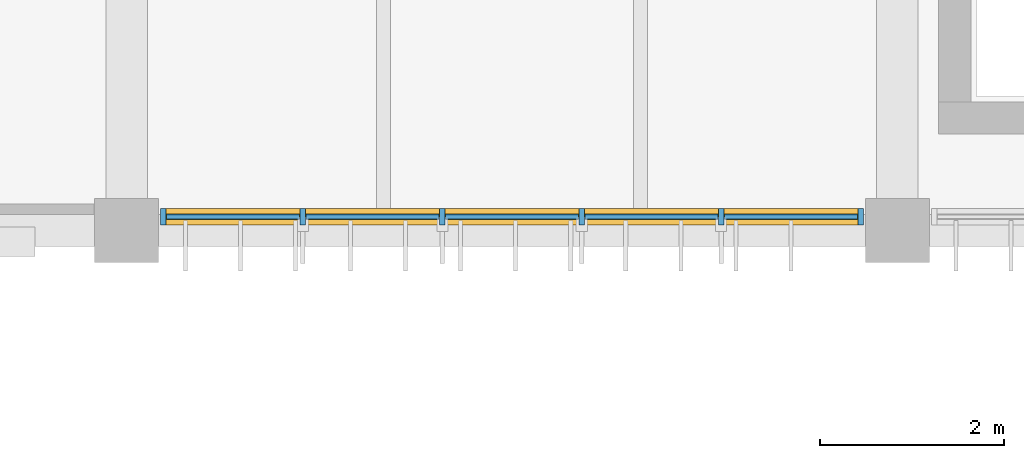
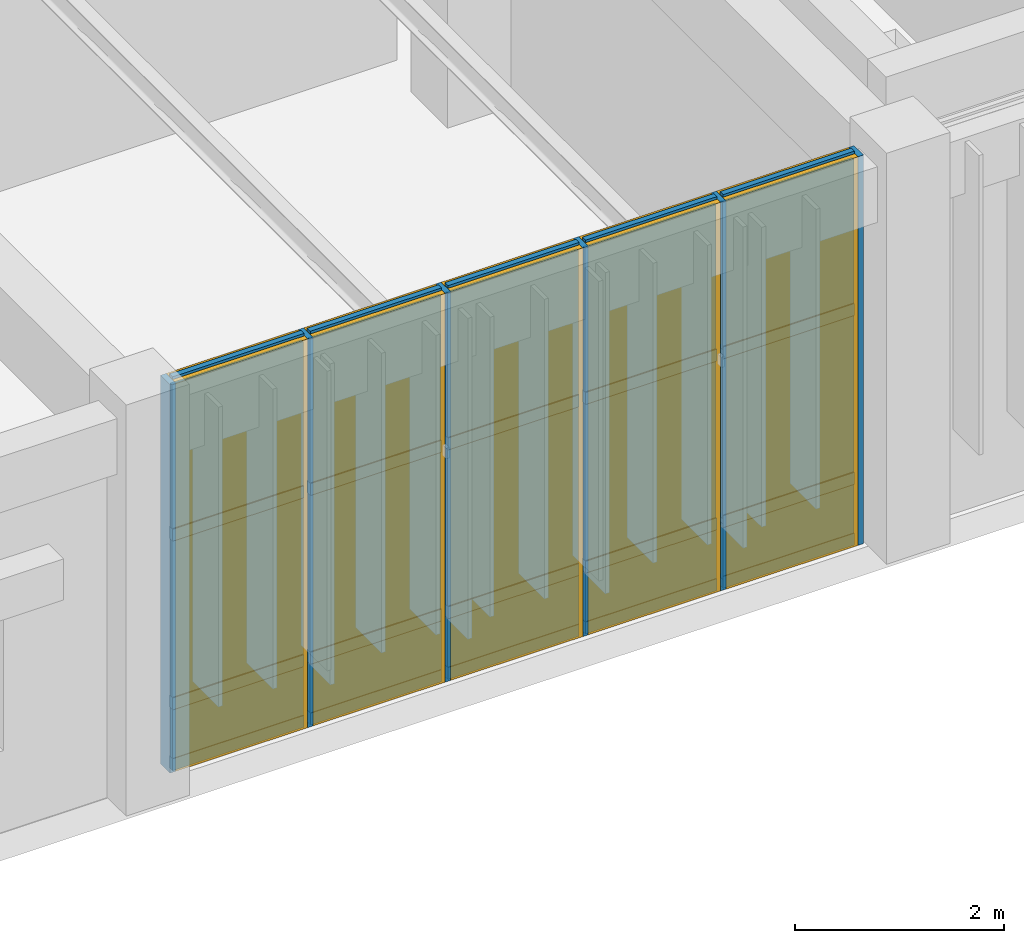
# One storey, part 95 of 122: 26 members, 15 plates, 1 curtain wall.
"""IFC4 building model written with IfcOpenShell, lengths in metres."""

from ifc_helpers import new_model, si_unit, direction, frame, frame_2d, origin, origin_2d, place, context, subcontext, project, spatial, rectangle, extrude, material, layer, layer_set, material_profile, profile_set, type_object, element, aggregate, save


model = new_model("IFC4")

# Units and contexts
model_context = context("Model", 3, precision=1e-05, world=origin(), true_north=direction((0.0, 1.0)))
body_context = subcontext(model_context, "Body", "Model", "MODEL_VIEW")
ifc_project = project(units=[si_unit("LENGTHUNIT", "METRE"), si_unit("AREAUNIT", "SQUARE_METRE"), si_unit("VOLUMEUNIT", "CUBIC_METRE"), si_unit("PLANEANGLEUNIT", "RADIAN"), si_unit("MASSUNIT", "GRAM", prefix="KILO")], contexts=[model_context])

# Member
ifc_material_1 = material(Name="Anodised Bronze Aluminium 6063-T6", Category="aluminium")
ifc_material_profile_1 = material_profile(ifc_material_1, rectangle(XDim=0.06005859375, YDim=0.179931640625, at=origin_2d()), Name="ALU MULLION 60x180")
ifc_profile_set_1 = profile_set([ifc_material_profile_1], Name="Anodised Bronze Aluminium 6063-T6")
member_type_1 = type_object("IfcMemberType", Name="Curtain-Wall Primary Mullion 60x180", PredefinedType="MULLION", material=ifc_profile_set_1)
site_placement = place(None, origin())
building_placement = place(site_placement, origin())
storey_placement = place(building_placement, origin())
member_1_placement = place(storey_placement, frame((125.800048828125, 87.949951171875, 0.0), z_axis=(0.0, 0.0, 1.0), x_axis=(1.0, 0.0, 0.0)))
member_1 = element("IfcMember", 1, at=member_1_placement, type_object=member_type_1, Name="Mullion CWM-01 CW-V3-S2-L00-B1-M01", PredefinedType="MULLION", context=body_context, shape_type="SweptSolid", body=[
    extrude(rectangle(XDim=0.06005859375, YDim=0.179931640625, at=origin_2d()), origin(), (0.0, 0.0, 1.0), 4.5400390625),
])

member_2_placement = place(storey_placement, frame((127.320068359375, 87.949951171875, 0.0), z_axis=(0.0, 0.0, 1.0), x_axis=(1.0, 0.0, 0.0)))
member_2 = element("IfcMember", 2, at=member_2_placement, type_object=member_type_1, Name="Mullion CWM-01 CW-V3-S2-L00-B1-M02", PredefinedType="MULLION", context=body_context, shape_type="SweptSolid", body=[
    extrude(rectangle(XDim=0.06005859375, YDim=0.179931640625, at=origin_2d()), origin(), (0.0, 0.0, 1.0), 4.5400390625),
])

member_3_placement = place(storey_placement, frame((128.840087890625, 87.949951171875, 0.0), z_axis=(0.0, 0.0, 1.0), x_axis=(1.0, 0.0, 0.0)))
member_3 = element("IfcMember", 3, at=member_3_placement, type_object=member_type_1, Name="Mullion CWM-01 CW-V3-S2-L00-B1-M03", PredefinedType="MULLION", context=body_context, shape_type="SweptSolid", body=[
    extrude(rectangle(XDim=0.06005859375, YDim=0.179931640625, at=origin_2d()), origin(), (0.0, 0.0, 1.0), 4.5400390625),
])

member_4_placement = place(storey_placement, frame((130.360107421875, 87.949951171875, 0.0), z_axis=(0.0, 0.0, 1.0), x_axis=(1.0, 0.0, 0.0)))
member_4 = element("IfcMember", 4, at=member_4_placement, type_object=member_type_1, Name="Mullion CWM-01 CW-V3-S2-L00-B1-M04", PredefinedType="MULLION", context=body_context, shape_type="SweptSolid", body=[
    extrude(rectangle(XDim=0.06005859375, YDim=0.179931640625, at=origin_2d()), origin(), (0.0, 0.0, 1.0), 4.5400390625),
])

member_5_placement = place(storey_placement, frame((131.8798828125, 87.949951171875, 0.0), z_axis=(0.0, 0.0, 1.0), x_axis=(1.0, 0.0, 0.0)))
member_5 = element("IfcMember", 5, at=member_5_placement, type_object=member_type_1, Name="Mullion CWM-01 CW-V3-S2-L00-B1-M05", PredefinedType="MULLION", context=body_context, shape_type="SweptSolid", body=[
    extrude(rectangle(XDim=0.06005859375, YDim=0.179931640625, at=origin_2d()), origin(), (0.0, 0.0, 1.0), 4.5400390625),
])

member_6_placement = place(storey_placement, frame((133.39990234375, 87.949951171875, 0.0), z_axis=(0.0, 0.0, 1.0), x_axis=(1.0, 0.0, 0.0)))
member_6 = element("IfcMember", 6, at=member_6_placement, type_object=member_type_1, Name="Mullion CWM-01 CW-V3-S2-L00-B1-M06", PredefinedType="MULLION", context=body_context, shape_type="SweptSolid", body=[
    extrude(rectangle(XDim=0.06005859375, YDim=0.179931640625, at=origin_2d()), origin(), (0.0, 0.0, 1.0), 4.5400390625),
])

ifc_material_profile_2 = material_profile(ifc_material_1, rectangle(XDim=0.06005859375, YDim=0.139892578125, at=origin_2d()), Name="ALU TRANSOM 60x140")
ifc_profile_set_2 = profile_set([ifc_material_profile_2], Name="Anodised Bronze Aluminium 6063-T6")
member_type_2 = type_object("IfcMemberType", Name="Curtain-Wall Transom 60x140", PredefinedType="USERDEFINED", material=ifc_profile_set_2)
member_7_placement = place(storey_placement, frame((125.8349609375, 87.949951171875, 0.0400390625), z_axis=(1.0, 0.0, 0.0), x_axis=(0.0, 1.0, 0.0)))
member_7 = element("IfcMember", 7, at=member_7_placement, type_object=member_type_2, Name="Transom CWT-01 CW-V3-S2-L00-B1-T01.1", ObjectType="TRANSOM", PredefinedType="USERDEFINED", context=body_context, shape_type="SweptSolid", body=[
    extrude(rectangle(XDim=0.06005859375, YDim=0.139892578125, at=origin_2d()), origin(), (0.0, 0.0, 1.0), 1.449951171875),
])

member_8_placement = place(storey_placement, frame((125.8349609375, 87.949951171875, 0.75), z_axis=(1.0, 0.0, 0.0), x_axis=(0.0, 1.0, 0.0)))
member_8 = element("IfcMember", 8, at=member_8_placement, type_object=member_type_2, Name="Transom CWT-01 CW-V3-S2-L00-B1-T01.2", ObjectType="TRANSOM", PredefinedType="USERDEFINED", context=body_context, shape_type="SweptSolid", body=[
    extrude(rectangle(XDim=0.06005859375, YDim=0.139892578125, at=origin_2d()), origin(), (0.0, 0.0, 1.0), 1.449951171875),
])

member_9_placement = place(storey_placement, frame((125.8349609375, 87.949951171875, 2.720703125), z_axis=(1.0, 0.0, 0.0), x_axis=(0.0, 1.0, 0.0)))
member_9 = element("IfcMember", 9, at=member_9_placement, type_object=member_type_2, Name="Transom CWT-01 CW-V3-S2-L00-B1-T01.3", ObjectType="TRANSOM", PredefinedType="USERDEFINED", context=body_context, shape_type="SweptSolid", body=[
    extrude(rectangle(XDim=0.06005859375, YDim=0.139892578125, at=origin_2d()), origin(), (0.0, 0.0, 1.0), 1.449951171875),
])

member_10_placement = place(storey_placement, frame((125.8349609375, 87.949951171875, 4.5), z_axis=(1.0, 0.0, 0.0), x_axis=(0.0, 1.0, 0.0)))
member_10 = element("IfcMember", 10, at=member_10_placement, type_object=member_type_2, Name="Transom CWT-01 CW-V3-S2-L00-B1-T01.4", ObjectType="TRANSOM", PredefinedType="USERDEFINED", context=body_context, shape_type="SweptSolid", body=[
    extrude(rectangle(XDim=0.06005859375, YDim=0.139892578125, at=origin_2d()), origin(), (0.0, 0.0, 1.0), 1.449951171875),
])

member_11_placement = place(storey_placement, frame((127.35498046875, 87.949951171875, 0.0400390625), z_axis=(1.0, 0.0, 0.0), x_axis=(0.0, 1.0, 0.0)))
member_11 = element("IfcMember", 11, at=member_11_placement, type_object=member_type_2, Name="Transom CWT-01 CW-V3-S2-L00-B1-T02.1", ObjectType="TRANSOM", PredefinedType="USERDEFINED", context=body_context, shape_type="SweptSolid", body=[
    extrude(rectangle(XDim=0.06005859375, YDim=0.139892578125, at=origin_2d()), origin(), (0.0, 0.0, 1.0), 1.449951171875),
])

member_12_placement = place(storey_placement, frame((127.35498046875, 87.949951171875, 0.75), z_axis=(1.0, 0.0, 0.0), x_axis=(0.0, 1.0, 0.0)))
member_12 = element("IfcMember", 12, at=member_12_placement, type_object=member_type_2, Name="Transom CWT-01 CW-V3-S2-L00-B1-T02.2", ObjectType="TRANSOM", PredefinedType="USERDEFINED", context=body_context, shape_type="SweptSolid", body=[
    extrude(rectangle(XDim=0.06005859375, YDim=0.139892578125, at=origin_2d()), origin(), (0.0, 0.0, 1.0), 1.449951171875),
])

member_13_placement = place(storey_placement, frame((127.35498046875, 87.949951171875, 2.720703125), z_axis=(1.0, 0.0, 0.0), x_axis=(0.0, 1.0, 0.0)))
member_13 = element("IfcMember", 13, at=member_13_placement, type_object=member_type_2, Name="Transom CWT-01 CW-V3-S2-L00-B1-T02.3", ObjectType="TRANSOM", PredefinedType="USERDEFINED", context=body_context, shape_type="SweptSolid", body=[
    extrude(rectangle(XDim=0.06005859375, YDim=0.139892578125, at=origin_2d()), origin(), (0.0, 0.0, 1.0), 1.449951171875),
])

member_14_placement = place(storey_placement, frame((127.35498046875, 87.949951171875, 4.5), z_axis=(1.0, 0.0, 0.0), x_axis=(0.0, 1.0, 0.0)))
member_14 = element("IfcMember", 14, at=member_14_placement, type_object=member_type_2, Name="Transom CWT-01 CW-V3-S2-L00-B1-T02.4", ObjectType="TRANSOM", PredefinedType="USERDEFINED", context=body_context, shape_type="SweptSolid", body=[
    extrude(rectangle(XDim=0.06005859375, YDim=0.139892578125, at=origin_2d()), origin(), (0.0, 0.0, 1.0), 1.449951171875),
])

member_15_placement = place(storey_placement, frame((128.875, 87.949951171875, 0.0400390625), z_axis=(1.0, 0.0, 0.0), x_axis=(0.0, 1.0, 0.0)))
member_15 = element("IfcMember", 15, at=member_15_placement, type_object=member_type_2, Name="Transom CWT-01 CW-V3-S2-L00-B1-T03.1", ObjectType="TRANSOM", PredefinedType="USERDEFINED", context=body_context, shape_type="SweptSolid", body=[
    extrude(rectangle(XDim=0.06005859375, YDim=0.139892578125, at=origin_2d()), origin(), (0.0, 0.0, 1.0), 1.449951171875),
])

member_16_placement = place(storey_placement, frame((128.875, 87.949951171875, 0.75), z_axis=(1.0, 0.0, 0.0), x_axis=(0.0, 1.0, 0.0)))
member_16 = element("IfcMember", 16, at=member_16_placement, type_object=member_type_2, Name="Transom CWT-01 CW-V3-S2-L00-B1-T03.2", ObjectType="TRANSOM", PredefinedType="USERDEFINED", context=body_context, shape_type="SweptSolid", body=[
    extrude(rectangle(XDim=0.06005859375, YDim=0.139892578125, at=origin_2d()), origin(), (0.0, 0.0, 1.0), 1.449951171875),
])

member_17_placement = place(storey_placement, frame((128.875, 87.949951171875, 2.720703125), z_axis=(1.0, 0.0, 0.0), x_axis=(0.0, 1.0, 0.0)))
member_17 = element("IfcMember", 17, at=member_17_placement, type_object=member_type_2, Name="Transom CWT-01 CW-V3-S2-L00-B1-T03.3", ObjectType="TRANSOM", PredefinedType="USERDEFINED", context=body_context, shape_type="SweptSolid", body=[
    extrude(rectangle(XDim=0.06005859375, YDim=0.139892578125, at=origin_2d()), origin(), (0.0, 0.0, 1.0), 1.449951171875),
])

member_18_placement = place(storey_placement, frame((128.875, 87.949951171875, 4.5), z_axis=(1.0, 0.0, 0.0), x_axis=(0.0, 1.0, 0.0)))
member_18 = element("IfcMember", 18, at=member_18_placement, type_object=member_type_2, Name="Transom CWT-01 CW-V3-S2-L00-B1-T03.4", ObjectType="TRANSOM", PredefinedType="USERDEFINED", context=body_context, shape_type="SweptSolid", body=[
    extrude(rectangle(XDim=0.06005859375, YDim=0.139892578125, at=origin_2d()), origin(), (0.0, 0.0, 1.0), 1.449951171875),
])

member_19_placement = place(storey_placement, frame((130.39501953125, 87.949951171875, 0.0400390625), z_axis=(1.0, 0.0, 0.0), x_axis=(0.0, 1.0, 0.0)))
member_19 = element("IfcMember", 19, at=member_19_placement, type_object=member_type_2, Name="Transom CWT-01 CW-V3-S2-L00-B1-T04.1", ObjectType="TRANSOM", PredefinedType="USERDEFINED", context=body_context, shape_type="SweptSolid", body=[
    extrude(rectangle(XDim=0.06005859375, YDim=0.139892578125, at=origin_2d()), origin(), (0.0, 0.0, 1.0), 1.449951171875),
])

member_20_placement = place(storey_placement, frame((130.39501953125, 87.949951171875, 0.75), z_axis=(1.0, 0.0, 0.0), x_axis=(0.0, 1.0, 0.0)))
member_20 = element("IfcMember", 20, at=member_20_placement, type_object=member_type_2, Name="Transom CWT-01 CW-V3-S2-L00-B1-T04.2", ObjectType="TRANSOM", PredefinedType="USERDEFINED", context=body_context, shape_type="SweptSolid", body=[
    extrude(rectangle(XDim=0.06005859375, YDim=0.139892578125, at=origin_2d()), origin(), (0.0, 0.0, 1.0), 1.449951171875),
])

member_21_placement = place(storey_placement, frame((130.39501953125, 87.949951171875, 2.720703125), z_axis=(1.0, 0.0, 0.0), x_axis=(0.0, 1.0, 0.0)))
member_21 = element("IfcMember", 21, at=member_21_placement, type_object=member_type_2, Name="Transom CWT-01 CW-V3-S2-L00-B1-T04.3", ObjectType="TRANSOM", PredefinedType="USERDEFINED", context=body_context, shape_type="SweptSolid", body=[
    extrude(rectangle(XDim=0.06005859375, YDim=0.139892578125, at=origin_2d()), origin(), (0.0, 0.0, 1.0), 1.449951171875),
])

member_22_placement = place(storey_placement, frame((130.39501953125, 87.949951171875, 4.5), z_axis=(1.0, 0.0, 0.0), x_axis=(0.0, 1.0, 0.0)))
member_22 = element("IfcMember", 22, at=member_22_placement, type_object=member_type_2, Name="Transom CWT-01 CW-V3-S2-L00-B1-T04.4", ObjectType="TRANSOM", PredefinedType="USERDEFINED", context=body_context, shape_type="SweptSolid", body=[
    extrude(rectangle(XDim=0.06005859375, YDim=0.139892578125, at=origin_2d()), origin(), (0.0, 0.0, 1.0), 1.449951171875),
])

member_23_placement = place(storey_placement, frame((131.9150390625, 87.949951171875, 0.0400390625), z_axis=(1.0, 0.0, 0.0), x_axis=(0.0, 1.0, 0.0)))
member_23 = element("IfcMember", 23, at=member_23_placement, type_object=member_type_2, Name="Transom CWT-01 CW-V3-S2-L00-B1-T05.1", ObjectType="TRANSOM", PredefinedType="USERDEFINED", context=body_context, shape_type="SweptSolid", body=[
    extrude(rectangle(XDim=0.06005859375, YDim=0.139892578125, at=origin_2d()), origin(), (0.0, 0.0, 1.0), 1.449951171875),
])

member_24_placement = place(storey_placement, frame((131.9150390625, 87.949951171875, 0.75), z_axis=(1.0, 0.0, 0.0), x_axis=(0.0, 1.0, 0.0)))
member_24 = element("IfcMember", 24, at=member_24_placement, type_object=member_type_2, Name="Transom CWT-01 CW-V3-S2-L00-B1-T05.2", ObjectType="TRANSOM", PredefinedType="USERDEFINED", context=body_context, shape_type="SweptSolid", body=[
    extrude(rectangle(XDim=0.06005859375, YDim=0.139892578125, at=origin_2d()), origin(), (0.0, 0.0, 1.0), 1.449951171875),
])

member_25_placement = place(storey_placement, frame((131.9150390625, 87.949951171875, 2.720703125), z_axis=(1.0, 0.0, 0.0), x_axis=(0.0, 1.0, 0.0)))
member_25 = element("IfcMember", 25, at=member_25_placement, type_object=member_type_2, Name="Transom CWT-01 CW-V3-S2-L00-B1-T05.3", ObjectType="TRANSOM", PredefinedType="USERDEFINED", context=body_context, shape_type="SweptSolid", body=[
    extrude(rectangle(XDim=0.06005859375, YDim=0.139892578125, at=origin_2d()), origin(), (0.0, 0.0, 1.0), 1.449951171875),
])

member_26_placement = place(storey_placement, frame((131.9150390625, 87.949951171875, 4.5), z_axis=(1.0, 0.0, 0.0), x_axis=(0.0, 1.0, 0.0)))
member_26 = element("IfcMember", 26, at=member_26_placement, type_object=member_type_2, Name="Transom CWT-01 CW-V3-S2-L00-B1-T05.4", ObjectType="TRANSOM", PredefinedType="USERDEFINED", context=body_context, shape_type="SweptSolid", body=[
    extrude(rectangle(XDim=0.06005859375, YDim=0.139892578125, at=origin_2d()), origin(), (0.0, 0.0, 1.0), 1.449951171875),
])

# Plate
ifc_material_2 = material(Name="Insulated Bronze Aluminium Spandrel Panel", Category="aluminium")
ifc_layer_1 = layer(ifc_material_2, 0.050048828125, Name="Insulated Bronze Aluminium Spandrel Panel")
ifc_layer_set_1 = layer_set([ifc_layer_1], Name="Insulated Bronze Aluminium Spandrel Panel")
plate_type_1 = type_object("IfcPlateType", Name="Insulated Anodised Aluminium Spandrel Cassette 50", PredefinedType="CURTAIN_PANEL", material=ifc_layer_set_1)
plate_1_placement = place(storey_placement, frame((126.56005859375, 87.949951171875, 0.070068359375), z_axis=(0.0, 0.0, 1.0), x_axis=(1.0, 0.0, 0.0)))
plate_1 = element("IfcPlate", 27, at=plate_1_placement, type_object=plate_type_1, Name="Curtain Panel CWP-03 CW-V3-S2-L00-B1-P01.1", PredefinedType="CURTAIN_PANEL", context=body_context, shape_type="SweptSolid", body=[
    extrude(rectangle(XDim=1.449951171875, YDim=0.050048828125, at=origin_2d()), origin(), (0.0, 0.0, 1.0), 0.64990234375),
])

plate_2_placement = place(storey_placement, frame((128.080078125, 87.949951171875, 0.070068359375), z_axis=(0.0, 0.0, 1.0), x_axis=(1.0, 0.0, 0.0)))
plate_2 = element("IfcPlate", 28, at=plate_2_placement, type_object=plate_type_1, Name="Curtain Panel CWP-03 CW-V3-S2-L00-B1-P02.1", PredefinedType="CURTAIN_PANEL", context=body_context, shape_type="SweptSolid", body=[
    extrude(rectangle(XDim=1.449951171875, YDim=0.050048828125, at=origin_2d()), origin(), (0.0, 0.0, 1.0), 0.64990234375),
])

plate_3_placement = place(storey_placement, frame((129.60009765625, 87.949951171875, 0.070068359375), z_axis=(0.0, 0.0, 1.0), x_axis=(1.0, 0.0, 0.0)))
plate_3 = element("IfcPlate", 29, at=plate_3_placement, type_object=plate_type_1, Name="Curtain Panel CWP-03 CW-V3-S2-L00-B1-P03.1", PredefinedType="CURTAIN_PANEL", context=body_context, shape_type="SweptSolid", body=[
    extrude(rectangle(XDim=1.449951171875, YDim=0.050048828125, at=origin_2d()), origin(), (0.0, 0.0, 1.0), 0.64990234375),
])

plate_4_placement = place(storey_placement, frame((131.1201171875, 87.949951171875, 0.070068359375), z_axis=(0.0, 0.0, 1.0), x_axis=(1.0, 0.0, 0.0)))
plate_4 = element("IfcPlate", 30, at=plate_4_placement, type_object=plate_type_1, Name="Curtain Panel CWP-03 CW-V3-S2-L00-B1-P04.1", PredefinedType="CURTAIN_PANEL", context=body_context, shape_type="SweptSolid", body=[
    extrude(rectangle(XDim=1.449951171875, YDim=0.050048828125, at=origin_2d()), origin(), (0.0, 0.0, 1.0), 0.64990234375),
])

plate_5_placement = place(storey_placement, frame((132.639892578125, 87.949951171875, 0.070068359375), z_axis=(0.0, 0.0, 1.0), x_axis=(1.0, 0.0, 0.0)))
plate_5 = element("IfcPlate", 31, at=plate_5_placement, type_object=plate_type_1, Name="Curtain Panel CWP-03 CW-V3-S2-L00-B1-P05.1", PredefinedType="CURTAIN_PANEL", context=body_context, shape_type="SweptSolid", body=[
    extrude(rectangle(XDim=1.449951171875, YDim=0.050048828125, at=origin_2d()), origin(), (0.0, 0.0, 1.0), 0.64990234375),
])

ifc_material_3 = material(Name="Solar-Control Tempered Double Glazing", Category="glass")
ifc_layer_2 = layer(ifc_material_3, 0.0380859375, Name="Solar-Control Tempered Double Glazing")
ifc_layer_set_2 = layer_set([ifc_layer_2], Name="Solar-Control Tempered Double Glazing")
plate_type_2 = type_object("IfcPlateType", Name="Solar-Control Vision Glazing Unit 38", PredefinedType="CURTAIN_PANEL", material=ifc_layer_set_2)
plate_6_placement = place(storey_placement, frame((126.56005859375, 87.949951171875, 0.77978515625), z_axis=(0.0, 0.0, 1.0), x_axis=(1.0, 0.0, 0.0)))
plate_6 = element("IfcPlate", 32, at=plate_6_placement, type_object=plate_type_2, Name="Curtain Panel CWP-02 CW-V3-S2-L00-B1-P01.2", PredefinedType="CURTAIN_PANEL", context=body_context, shape_type="SweptSolid", body=[
    extrude(rectangle(XDim=1.449951171875, YDim=0.0380859375, at=origin_2d()), origin(), (0.0, 0.0, 1.0), 1.910888671875),
])

plate_7_placement = place(storey_placement, frame((126.56005859375, 87.949951171875, 2.750732421875), z_axis=(0.0, 0.0, 1.0), x_axis=(1.0, 0.0, 0.0)))
plate_7 = element("IfcPlate", 33, at=plate_7_placement, type_object=plate_type_2, Name="Curtain Panel CWP-02 CW-V3-S2-L00-B1-P01.3", PredefinedType="CURTAIN_PANEL", context=body_context, shape_type="SweptSolid", body=[
    extrude(rectangle(XDim=1.449951171875, YDim=0.0380859375, at=origin_2d()), origin(), (0.0, 0.0, 1.0), 1.71923828125),
])

plate_8_placement = place(storey_placement, frame((128.080078125, 87.949951171875, 0.77978515625), z_axis=(0.0, 0.0, 1.0), x_axis=(1.0, 0.0, 0.0)))
plate_8 = element("IfcPlate", 34, at=plate_8_placement, type_object=plate_type_2, Name="Curtain Panel CWP-02 CW-V3-S2-L00-B1-P02.2", PredefinedType="CURTAIN_PANEL", context=body_context, shape_type="SweptSolid", body=[
    extrude(rectangle(XDim=1.449951171875, YDim=0.0380859375, at=origin_2d()), origin(), (0.0, 0.0, 1.0), 1.910888671875),
])

plate_9_placement = place(storey_placement, frame((128.080078125, 87.949951171875, 2.750732421875), z_axis=(0.0, 0.0, 1.0), x_axis=(1.0, 0.0, 0.0)))
plate_9 = element("IfcPlate", 35, at=plate_9_placement, type_object=plate_type_2, Name="Curtain Panel CWP-02 CW-V3-S2-L00-B1-P02.3", PredefinedType="CURTAIN_PANEL", context=body_context, shape_type="SweptSolid", body=[
    extrude(rectangle(XDim=1.449951171875, YDim=0.0380859375, at=origin_2d()), origin(), (0.0, 0.0, 1.0), 1.71923828125),
])

plate_10_placement = place(storey_placement, frame((129.60009765625, 87.949951171875, 0.77978515625), z_axis=(0.0, 0.0, 1.0), x_axis=(1.0, 0.0, 0.0)))
plate_10 = element("IfcPlate", 36, at=plate_10_placement, type_object=plate_type_2, Name="Curtain Panel CWP-02 CW-V3-S2-L00-B1-P03.2", PredefinedType="CURTAIN_PANEL", context=body_context, shape_type="SweptSolid", body=[
    extrude(rectangle(XDim=1.449951171875, YDim=0.0380859375, at=origin_2d()), origin(), (0.0, 0.0, 1.0), 1.910888671875),
])

plate_11_placement = place(storey_placement, frame((129.60009765625, 87.949951171875, 2.750732421875), z_axis=(0.0, 0.0, 1.0), x_axis=(1.0, 0.0, 0.0)))
plate_11 = element("IfcPlate", 37, at=plate_11_placement, type_object=plate_type_2, Name="Curtain Panel CWP-02 CW-V3-S2-L00-B1-P03.3", PredefinedType="CURTAIN_PANEL", context=body_context, shape_type="SweptSolid", body=[
    extrude(rectangle(XDim=1.449951171875, YDim=0.0380859375, at=origin_2d()), origin(), (0.0, 0.0, 1.0), 1.71923828125),
])

plate_12_placement = place(storey_placement, frame((131.1201171875, 87.949951171875, 0.77978515625), z_axis=(0.0, 0.0, 1.0), x_axis=(1.0, 0.0, 0.0)))
plate_12 = element("IfcPlate", 38, at=plate_12_placement, type_object=plate_type_2, Name="Curtain Panel CWP-02 CW-V3-S2-L00-B1-P04.2", PredefinedType="CURTAIN_PANEL", context=body_context, shape_type="SweptSolid", body=[
    extrude(rectangle(XDim=1.449951171875, YDim=0.0380859375, at=origin_2d()), origin(), (0.0, 0.0, 1.0), 1.910888671875),
])

plate_13_placement = place(storey_placement, frame((131.1201171875, 87.949951171875, 2.750732421875), z_axis=(0.0, 0.0, 1.0), x_axis=(1.0, 0.0, 0.0)))
plate_13 = element("IfcPlate", 39, at=plate_13_placement, type_object=plate_type_2, Name="Curtain Panel CWP-02 CW-V3-S2-L00-B1-P04.3", PredefinedType="CURTAIN_PANEL", context=body_context, shape_type="SweptSolid", body=[
    extrude(rectangle(XDim=1.449951171875, YDim=0.0380859375, at=origin_2d()), origin(), (0.0, 0.0, 1.0), 1.71923828125),
])

plate_14_placement = place(storey_placement, frame((132.639892578125, 87.949951171875, 0.77978515625), z_axis=(0.0, 0.0, 1.0), x_axis=(1.0, 0.0, 0.0)))
plate_14 = element("IfcPlate", 40, at=plate_14_placement, type_object=plate_type_2, Name="Curtain Panel CWP-02 CW-V3-S2-L00-B1-P05.2", PredefinedType="CURTAIN_PANEL", context=body_context, shape_type="SweptSolid", body=[
    extrude(rectangle(XDim=1.449951171875, YDim=0.0380859375, at=origin_2d()), origin(), (0.0, 0.0, 1.0), 1.910888671875),
])

plate_15_placement = place(storey_placement, frame((132.639892578125, 87.949951171875, 2.750732421875), z_axis=(0.0, 0.0, 1.0), x_axis=(1.0, 0.0, 0.0)))
plate_15 = element("IfcPlate", 41, at=plate_15_placement, type_object=plate_type_2, Name="Curtain Panel CWP-02 CW-V3-S2-L00-B1-P05.3", PredefinedType="CURTAIN_PANEL", context=body_context, shape_type="SweptSolid", body=[
    extrude(rectangle(XDim=1.449951171875, YDim=0.0380859375, at=origin_2d()), origin(), (0.0, 0.0, 1.0), 1.71923828125),
])

# Site, building, storey
site = spatial("IfcSite", under=ifc_project, at=site_placement, CompositionType="ELEMENT")
building = spatial("IfcBuilding", under=site, at=building_placement, Name="Tazoul Stagehouse", CompositionType="ELEMENT")
storey = spatial("IfcBuildingStorey", under=building, at=storey_placement, Name="L00", CompositionType="ELEMENT", Elevation=0.0)

# Curtain wall
curtain_wall_type = type_object("IfcCurtainWallType", Name="Rehearsal North Daylight Curtain Wall", PredefinedType="NOTDEFINED", material=ifc_material_1)
curtain_wall_placement = place(storey_placement, frame((125.800048828125, 87.949951171875, 0.0), z_axis=(0.0, 0.0, 1.0), x_axis=(1.0, 0.0, 0.0)))
curtain_wall = element("IfcCurtainWall", 42, at=curtain_wall_placement, inside=storey, type_object=curtain_wall_type, Name="L00 Curtain Wall CW-04 (CW-V3-S2-L00-B1)", PredefinedType="NOTDEFINED", context=body_context, shape_type="SweptSolid", body=[
    extrude(rectangle(XDim=7.599853515625, YDim=0.179931640625, at=frame_2d((3.7998046875, 0.0))), origin(), (0.0, 0.0, 1.0), 4.5400390625),
])

aggregate(curtain_wall, [member_1, member_2, member_3, member_4, member_5, member_6, member_7, member_8, member_9, member_10, plate_1, plate_6, plate_7, member_11, member_12, member_13, member_14, plate_2, plate_8, plate_9, member_15, member_16, member_17, member_18, plate_3, plate_10, plate_11, member_19, member_20, member_21, member_22, plate_4, plate_12, plate_13, member_23, member_24, member_25, member_26, plate_5, plate_14, plate_15])

save(model, "model.ifc")
